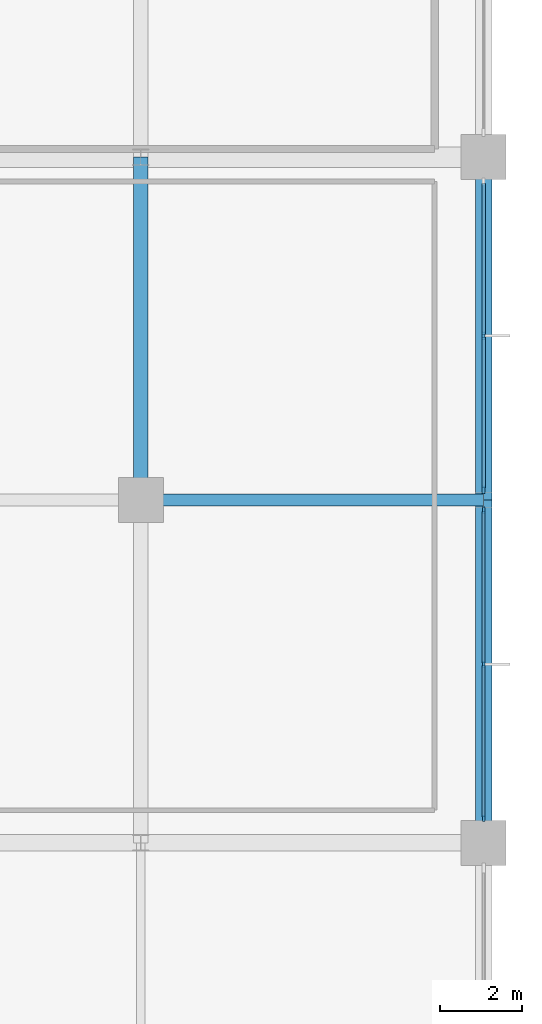
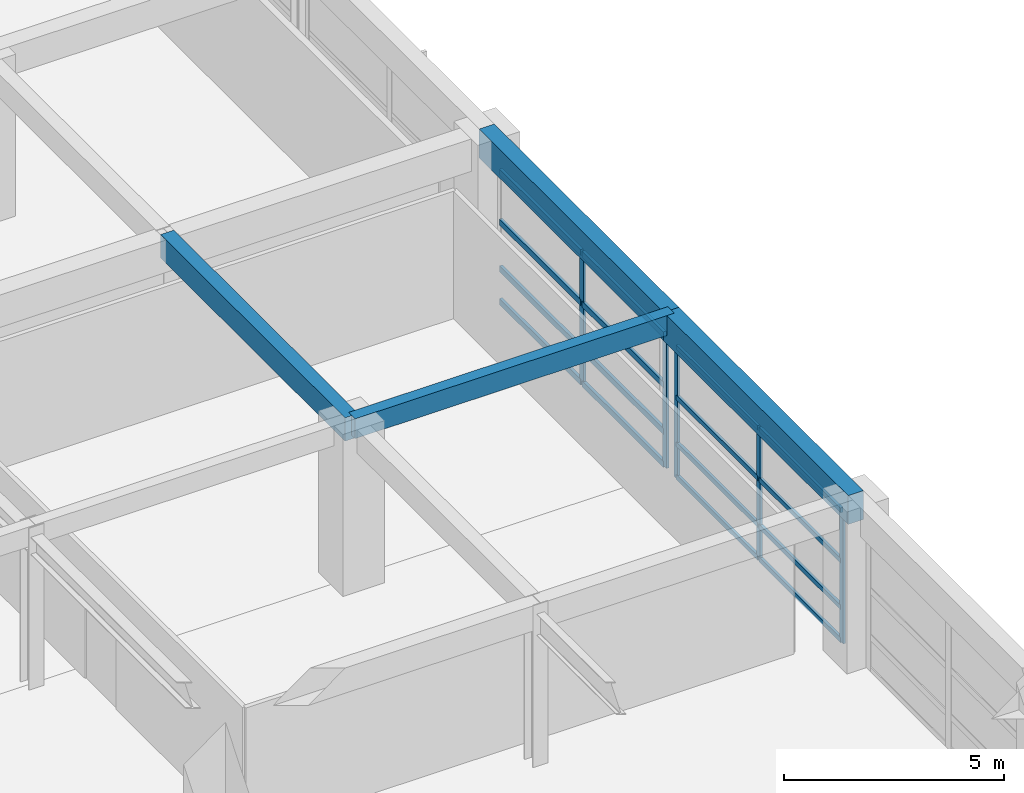
# One storey, part 36 of 62: 21 members, 4 beams, 2 elements without a shape of their own.
"""IFC4 building model written with IfcOpenShell, lengths in metres."""

import ifcopenshell
import ifcopenshell.guid

model = None  # the IFC model being written
_history = None  # IfcOwnerHistory: only IFC2X3 demands one
_inside = {}  # id of a spatial element -> (the spatial element, [elements in it])
_under = {}  # id of a project, library or spatial element -> (it, [spatial elements below it])
_declared = {}  # id of a project -> (the project, [libraries it declares])
_typed = {}  # id of a type object -> (the type object, [elements of that type])
_made_of = {}  # id of a material, layer set ... -> (it, [elements and type objects made of it])


def new_model(schema):
    """Start an empty IFC model of exactly this schema.

    Asked for "IFC4X3", IfcOpenShell would pick the latest addendum, in which some entities
    have other attributes; the version numbers below select the first issue.
    IFC2X3 requires an IfcOwnerHistory on every rooted entity: one is made here for all.
    """
    global model, _history
    if schema == "IFC4X3":
        model = ifcopenshell.file(schema_version=(4, 3, 0, 0))
    else:
        model = ifcopenshell.file(schema=schema)
    _inside.clear()
    _under.clear()
    _declared.clear()
    _typed.clear()
    _made_of.clear()
    _history = None
    if model.schema == "IFC2X3":
        org = make("IfcOrganization", Name="unknown")
        user = make(
            "IfcPersonAndOrganization",
            ThePerson=make("IfcPerson", FamilyName="unknown"),
            TheOrganization=org,
        )
        app = make(
            "IfcApplication",
            ApplicationDeveloper=org,
            Version="unknown",
            ApplicationFullName="unknown",
            ApplicationIdentifier="unknown",
        )
        _history = make(
            "IfcOwnerHistory",
            OwningUser=user,
            OwningApplication=app,
            ChangeAction="ADDED",
            CreationDate=0,
        )
    return model


def make(cls, **values):
    """One entity of the class cls with the attributes given. An attribute that is None is left unset."""
    return model.create_entity(
        cls, **{name: value for name, value in values.items() if value is not None}
    )


def rooted(cls, **values):
    """An entity with a GlobalId (a new one), such as an element, a storey or a relation."""
    return make(cls, GlobalId=ifcopenshell.guid.new(), OwnerHistory=_history, **values)


def si_unit(unit_type, name, prefix=None):
    """IfcSIUnit, for example si_unit("LENGTHUNIT", "METRE", prefix="MILLI")."""
    return make("IfcSIUnit", UnitType=unit_type, Prefix=prefix, Name=name)


def assignment(units):
    """IfcUnitAssignment: the units of a project."""
    return None if units is None else make("IfcUnitAssignment", Units=units)


def point(xyz):
    """IfcCartesianPoint."""
    return None if xyz is None else make("IfcCartesianPoint", Coordinates=xyz)


def direction(xyz):
    """IfcDirection."""
    return None if xyz is None else make("IfcDirection", DirectionRatios=xyz)


def frame(location, z_axis=None, x_axis=None):
    """IfcAxis2Placement3D, a coordinate frame: its origin and axes. An axis left out is left unset."""
    return make(
        "IfcAxis2Placement3D",
        Location=point(location),
        Axis=direction(z_axis),
        RefDirection=direction(x_axis),
    )


def frame_2d(location, x_axis=None):
    """IfcAxis2Placement2D, a coordinate frame in the plane: its origin and x axis."""
    return make(
        "IfcAxis2Placement2D", Location=point(location), RefDirection=direction(x_axis)
    )


def origin():
    """The frame at (0, 0, 0) with its axes left unset."""
    return frame((0.0, 0.0, 0.0))


def origin_2d():
    """The frame at (0, 0) in the plane with its x axis left unset."""
    return frame_2d((0.0, 0.0))


def place(relative_to, where):
    """IfcLocalPlacement: puts the frame where relative to a parent placement (None: the world)."""
    return make(
        "IfcLocalPlacement", PlacementRelTo=relative_to, RelativePlacement=where
    )


def context(
    kind, dimensions, precision=None, world=None, true_north=None, identifier=None
):
    """IfcGeometricRepresentationContext, for example the 3D "Model" context."""
    return make(
        "IfcGeometricRepresentationContext",
        ContextIdentifier=identifier,
        ContextType=kind,
        CoordinateSpaceDimension=dimensions,
        Precision=precision,
        WorldCoordinateSystem=world,
        TrueNorth=true_north,
    )


def subcontext(parent, identifier, kind, view, scale=None):
    """IfcGeometricRepresentationSubContext, for example "Body" below "Model"."""
    return make(
        "IfcGeometricRepresentationSubContext",
        ContextIdentifier=identifier,
        ContextType=kind,
        ParentContext=parent,
        TargetScale=scale,
        TargetView=view,
    )


def project(units=None, contexts=None):
    """IfcProject with its units and contexts."""
    return rooted(
        "IfcProject",
        Name="project",
        RepresentationContexts=contexts,
        UnitsInContext=assignment(units),
    )


def spatial(cls, under=None, at=None, **own):
    """A site, building, storey or space (cls), placed at a placement, below another one or the project."""
    s = rooted(cls, ObjectPlacement=at, **own)
    if under is not None:
        _under.setdefault(under.id(), (under, []))[1].append(s)
    return s


def profile(cls, at=None, kind="AREA", **sizes):
    """A parametric profile (cls). Its sizes go by their IFC names, for example OverallWidth=200.0."""
    return make(cls, ProfileType=kind, Position=at, **sizes)


def rectangle(**sizes):
    """IfcRectangleProfileDef."""
    return profile("IfcRectangleProfileDef", **sizes)


def extrude(swept, where, along, depth):
    """IfcExtrudedAreaSolid: the profile swept, set in the frame where, extruded along a direction by depth."""
    return make(
        "IfcExtrudedAreaSolid",
        SweptArea=swept,
        Position=where,
        ExtrudedDirection=direction(along),
        Depth=depth,
    )


def shape(context_of_items, identifier, shape_type, items):
    """IfcShapeRepresentation: the items that make up one representation, for example the "Body"."""
    return make(
        "IfcShapeRepresentation",
        ContextOfItems=context_of_items,
        RepresentationIdentifier=identifier,
        RepresentationType=shape_type,
        Items=items,
    )


def material(Name=None, Category=None):
    """IfcMaterial."""
    return make("IfcMaterial", Name=Name, Category=Category)


def material_profile(
    of_material, cross_section, Name=None, Category=None, Priority=None
):
    """IfcMaterialProfile: a cross section and its material."""
    return make(
        "IfcMaterialProfile",
        Name=Name,
        Material=of_material,
        Profile=cross_section,
        Priority=Priority,
        Category=Category,
    )


def profile_set(profiles, Name=None, composite=None):
    """IfcMaterialProfileSet."""
    return make(
        "IfcMaterialProfileSet",
        Name=Name,
        MaterialProfiles=profiles,
        CompositeProfile=composite,
    )


def made_of(thing, what):
    """Note that an element or type object is made of a material, layer set ...; save() writes the relation."""
    if what is not None:
        _made_of.setdefault(what.id(), (what, []))[1].append(thing)
    return thing


def type_object(cls, material=None, **own):
    """A type object (cls), such as IfcWallType, which elements share."""
    return made_of(rooted(cls, **own), material)


def element(
    cls,
    number,
    at=None,
    inside=None,
    cuts=None,
    type_object=None,
    material=None,
    context=None,
    identifier="Body",
    shape_type=None,
    held_by="IfcProductDefinitionShape",
    body=None,
    shapes=None,
    **own,
):
    """One element of the class cls, such as IfcWall. Its Tag is "e" and its number.

    at: its placement. inside: the storey or other place that contains it. cuts: it is an
    opening in that element (IfcRelVoidsElement). A single representation is given by context,
    identifier, shape_type and body (its items); several are given by shapes. held_by: the class
    of the entity that holds the representations. save() writes the other relations.
    """
    e = rooted(cls, Tag="e%d" % number, ObjectPlacement=at, **own)
    if body is not None:
        shapes = [shape(context, identifier, shape_type, body)]
    if shapes is not None:
        e.Representation = make(held_by, Representations=shapes)
    if inside is not None:
        _inside.setdefault(inside.id(), (inside, []))[1].append(e)
    if cuts is not None:
        rooted(
            "IfcRelVoidsElement", RelatingBuildingElement=cuts, RelatedOpeningElement=e
        )
    if type_object is not None:
        _typed.setdefault(type_object.id(), (type_object, []))[1].append(e)
    return made_of(e, material)


def aggregate(whole, parts):
    """IfcRelAggregates: a whole, such as a stair, and the parts it consists of."""
    return rooted("IfcRelAggregates", RelatingObject=whole, RelatedObjects=parts)


def save(model, path):
    """Write the relations noted so far, then the file.

    IfcRelAggregates (storeys below a building ...), IfcRelContainedInSpatialStructure (elements
    in a storey), IfcRelDefinesByType, IfcRelAssociatesMaterial and IfcRelDeclares: one each for
    every whole, place, type object, material and project.
    """
    for whole, parts in _under.values():
        aggregate(whole, parts)
    for where, things in _inside.values():
        rooted(
            "IfcRelContainedInSpatialStructure",
            RelatedElements=things,
            RelatingStructure=where,
        )
    for kind, things in _typed.values():
        rooted("IfcRelDefinesByType", RelatedObjects=things, RelatingType=kind)
    for what, things in _made_of.values():
        rooted("IfcRelAssociatesMaterial", RelatedObjects=things, RelatingMaterial=what)
    for by, libraries in _declared.values():
        rooted("IfcRelDeclares", RelatingContext=by, RelatedDefinitions=libraries)
    model.write(path)


model = new_model("IFC4")

# Units and contexts
model_context = context("Model", 3, precision=1e-05, world=origin(), true_north=direction((0.0, 1.0)))
body_context = subcontext(model_context, "Body", "Model", "MODEL_VIEW")
ifc_project = project(units=[si_unit("LENGTHUNIT", "METRE"), si_unit("AREAUNIT", "SQUARE_METRE"), si_unit("VOLUMEUNIT", "CUBIC_METRE"), si_unit("PLANEANGLEUNIT", "RADIAN"), si_unit("MASSUNIT", "GRAM", prefix="KILO")], contexts=[model_context])

# Site, building, storey
site_placement = place(None, origin())
site = spatial("IfcSite", under=ifc_project, at=site_placement, CompositionType="ELEMENT")
building_placement = place(site_placement, origin())
building = spatial("IfcBuilding", under=site, at=building_placement, Name="Xuanlan Plaza Opera House", CompositionType="ELEMENT")
storey_placement = place(building_placement, frame((0.0, 0.0, 14.39990234375)))
storey = spatial("IfcBuildingStorey", under=building, at=storey_placement, Name="L03", CompositionType="ELEMENT", Elevation=14.39990234375)

# Curtain wall, members
ifc_material_1 = material(Name="Anodised Aluminium 6063-T6 and Low-E Glass", Category="aluminium")
curtain_wall_type_1 = type_object("IfcCurtainWallType", Name="ENV-CW-CW-02", PredefinedType="USERDEFINED", material=ifc_material_1)
curtain_wall_1_placement = place(storey_placement, origin())
curtain_wall_1 = element("IfcCurtainWall", 1, at=curtain_wall_1_placement, inside=storey, type_object=curtain_wall_type_1, Name="Unitised Curtain Wall L03-021", ObjectType="UNITISED CURTAIN WALL", PredefinedType="USERDEFINED")
ifc_material_2 = material(Name="Anodised Aluminium 6063-T6", Category="aluminium")
ifc_material_profile_1 = material_profile(ifc_material_2, rectangle(XDim=0.06494140625, YDim=0.159912109375, at=origin_2d()), Name="ALU-M 65x160")
ifc_profile_set_1 = profile_set([ifc_material_profile_1], Name="Anodised Aluminium 6063-T6")
member_type_1 = type_object("IfcMemberType", Name="ENV-CWM-01", PredefinedType="MULLION", material=ifc_profile_set_1)
member_1_placement = place(storey_placement, frame((168.0, 34.202392578125, 0.0), z_axis=(0.0, 0.0, 1.0), x_axis=(-1.0, 0.0, 0.0)))
member_1 = element("IfcMember", 2, at=member_1_placement, type_object=member_type_1, Name="CW-02 mullion 1", PredefinedType="MULLION", context=body_context, shape_type="SweptSolid", body=[
    extrude(rectangle(XDim=0.06494140625, YDim=0.159912109375, at=origin_2d()), origin(), (0.0, 0.0, 1.0), 3.68017578125),
])
member_2_placement = place(storey_placement, frame((168.0, 37.97509765625, 0.0), z_axis=(0.0, 0.0, 1.0), x_axis=(-1.0, 0.0, 0.0)))
member_2 = element("IfcMember", 3, at=member_2_placement, type_object=member_type_1, Name="CW-02 mullion 2", PredefinedType="MULLION", context=body_context, shape_type="SweptSolid", body=[
    extrude(rectangle(XDim=0.06494140625, YDim=0.159912109375, at=origin_2d()), origin(), (0.0, 0.0, 1.0), 3.68017578125),
])
member_3_placement = place(storey_placement, frame((168.0, 41.74755859375, 0.0), z_axis=(0.0, 0.0, 1.0), x_axis=(-1.0, 0.0, 0.0)))
member_3 = element("IfcMember", 4, at=member_3_placement, type_object=member_type_1, Name="CW-02 mullion 3", PredefinedType="MULLION", context=body_context, shape_type="SweptSolid", body=[
    extrude(rectangle(XDim=0.06494140625, YDim=0.159912109375, at=origin_2d()), origin(), (0.0, 0.0, 1.0), 3.68017578125),
])

curtain_wall_type_2 = type_object("IfcCurtainWallType", Name="ENV-CW-CW-03", PredefinedType="USERDEFINED", material=ifc_material_1)
curtain_wall_2_placement = place(storey_placement, origin())
curtain_wall_2 = element("IfcCurtainWall", 5, at=curtain_wall_2_placement, inside=storey, type_object=curtain_wall_type_2, Name="Unitised Curtain Wall L03-022", ObjectType="UNITISED CURTAIN WALL", PredefinedType="USERDEFINED")
ifc_material_profile_2 = material_profile(ifc_material_2, rectangle(XDim=0.070068359375, YDim=0.179931640625, at=origin_2d()), Name="ALU-M 70x180")
ifc_profile_set_2 = profile_set([ifc_material_profile_2], Name="Anodised Aluminium 6063-T6")
member_type_2 = type_object("IfcMemberType", Name="ENV-CWM-02", PredefinedType="MULLION", material=ifc_profile_set_2)
member_4_placement = place(storey_placement, frame((168.0, 42.2548828125, 0.0), z_axis=(0.0, 0.0, 1.0), x_axis=(-1.0, 0.0, 0.0)))
member_4 = element("IfcMember", 6, at=member_4_placement, type_object=member_type_2, Name="CW-03 mullion 1", PredefinedType="MULLION", context=body_context, shape_type="SweptSolid", body=[
    extrude(rectangle(XDim=0.070068359375, YDim=0.179931640625, at=origin_2d()), origin(), (0.0, 0.0, 1.0), 3.68017578125),
])
member_5_placement = place(storey_placement, frame((168.0, 46.02490234375, 0.0), z_axis=(0.0, 0.0, 1.0), x_axis=(-1.0, 0.0, 0.0)))
member_5 = element("IfcMember", 7, at=member_5_placement, type_object=member_type_2, Name="CW-03 mullion 2", PredefinedType="MULLION", context=body_context, shape_type="SweptSolid", body=[
    extrude(rectangle(XDim=0.070068359375, YDim=0.179931640625, at=origin_2d()), origin(), (0.0, 0.0, 1.0), 3.68017578125),
])

# Member
ifc_material_profile_3 = material_profile(ifc_material_2, rectangle(XDim=0.070068359375, YDim=0.135009765625, at=origin_2d()), Name="ALU-T 70x135")
ifc_profile_set_3 = profile_set([ifc_material_profile_3], Name="Anodised Aluminium 6063-T6")
member_type_3 = type_object("IfcMemberType", Name="ENV-CWT-02", PredefinedType="USERDEFINED", material=ifc_profile_set_3)
member_6_placement = place(storey_placement, frame((168.0, 34.235107421875, 0.03515625), z_axis=(0.0, 1.0, 0.0), x_axis=(-1.0, 0.0, 0.0)))
member_6 = element("IfcMember", 8, at=member_6_placement, type_object=member_type_3, Name="CW-02 transom 1.1", ObjectType="TRANSOM", PredefinedType="USERDEFINED", context=body_context, shape_type="SweptSolid", body=[
    extrude(rectangle(XDim=0.070068359375, YDim=0.135009765625, at=origin_2d()), origin(), (0.0, 0.0, 1.0), 3.707275390625),
])

member_7_placement = place(storey_placement, frame((168.0, 34.235107421875, 0.9501953125), z_axis=(0.0, 1.0, 0.0), x_axis=(-1.0, 0.0, 0.0)))
member_7 = element("IfcMember", 9, at=member_7_placement, type_object=member_type_3, Name="CW-02 transom 1.2", ObjectType="TRANSOM", PredefinedType="USERDEFINED", context=body_context, shape_type="SweptSolid", body=[
    extrude(rectangle(XDim=0.070068359375, YDim=0.135009765625, at=origin_2d()), origin(), (0.0, 0.0, 1.0), 3.707275390625),
])

member_8_placement = place(storey_placement, frame((168.0, 34.235107421875, 2.25), z_axis=(0.0, 1.0, 0.0), x_axis=(-1.0, 0.0, 0.0)))
member_8 = element("IfcMember", 10, at=member_8_placement, type_object=member_type_3, Name="CW-02 transom 1.3", ObjectType="TRANSOM", PredefinedType="USERDEFINED", context=body_context, shape_type="SweptSolid", body=[
    extrude(rectangle(XDim=0.070068359375, YDim=0.135009765625, at=origin_2d()), origin(), (0.0, 0.0, 1.0), 3.707275390625),
])

member_9_placement = place(storey_placement, frame((168.0, 34.235107421875, 3.64501953125), z_axis=(0.0, 1.0, 0.0), x_axis=(-1.0, 0.0, 0.0)))
member_9 = element("IfcMember", 11, at=member_9_placement, type_object=member_type_3, Name="CW-02 transom 1.4", ObjectType="TRANSOM", PredefinedType="USERDEFINED", context=body_context, shape_type="SweptSolid", body=[
    extrude(rectangle(XDim=0.070068359375, YDim=0.135009765625, at=origin_2d()), origin(), (0.0, 0.0, 1.0), 3.707275390625),
])

member_10_placement = place(storey_placement, frame((168.0, 38.007568359375, 0.03515625), z_axis=(0.0, 1.0, 0.0), x_axis=(-1.0, 0.0, 0.0)))
member_10 = element("IfcMember", 12, at=member_10_placement, type_object=member_type_3, Name="CW-02 transom 2.1", ObjectType="TRANSOM", PredefinedType="USERDEFINED", context=body_context, shape_type="SweptSolid", body=[
    extrude(rectangle(XDim=0.070068359375, YDim=0.135009765625, at=origin_2d()), origin(), (0.0, 0.0, 1.0), 3.70751953125),
])

member_11_placement = place(storey_placement, frame((168.0, 38.007568359375, 0.9501953125), z_axis=(0.0, 1.0, 0.0), x_axis=(-1.0, 0.0, 0.0)))
member_11 = element("IfcMember", 13, at=member_11_placement, type_object=member_type_3, Name="CW-02 transom 2.2", ObjectType="TRANSOM", PredefinedType="USERDEFINED", context=body_context, shape_type="SweptSolid", body=[
    extrude(rectangle(XDim=0.070068359375, YDim=0.135009765625, at=origin_2d()), origin(), (0.0, 0.0, 1.0), 3.70751953125),
])

member_12_placement = place(storey_placement, frame((168.0, 38.007568359375, 2.25), z_axis=(0.0, 1.0, 0.0), x_axis=(-1.0, 0.0, 0.0)))
member_12 = element("IfcMember", 14, at=member_12_placement, type_object=member_type_3, Name="CW-02 transom 2.3", ObjectType="TRANSOM", PredefinedType="USERDEFINED", context=body_context, shape_type="SweptSolid", body=[
    extrude(rectangle(XDim=0.070068359375, YDim=0.135009765625, at=origin_2d()), origin(), (0.0, 0.0, 1.0), 3.70751953125),
])

member_13_placement = place(storey_placement, frame((168.0, 38.007568359375, 3.64501953125), z_axis=(0.0, 1.0, 0.0), x_axis=(-1.0, 0.0, 0.0)))
member_13 = element("IfcMember", 15, at=member_13_placement, type_object=member_type_3, Name="CW-02 transom 2.4", ObjectType="TRANSOM", PredefinedType="USERDEFINED", context=body_context, shape_type="SweptSolid", body=[
    extrude(rectangle(XDim=0.070068359375, YDim=0.135009765625, at=origin_2d()), origin(), (0.0, 0.0, 1.0), 3.70751953125),
])

aggregate(curtain_wall_1, [member_1, member_2, member_3, member_6, member_7, member_8, member_9, member_10, member_11, member_12, member_13])

ifc_material_profile_4 = material_profile(ifc_material_2, rectangle(XDim=0.080078125, YDim=0.1650390625, at=origin_2d()), Name="ALU-T 80x165")
ifc_profile_set_4 = profile_set([ifc_material_profile_4], Name="Anodised Aluminium 6063-T6")
member_type_4 = type_object("IfcMemberType", Name="ENV-CWT-04", PredefinedType="USERDEFINED", material=ifc_profile_set_4)
member_14_placement = place(storey_placement, frame((168.0, 42.2900390625, 0.0400390625), z_axis=(0.0, 1.0, 0.0), x_axis=(-1.0, 0.0, 0.0)))
member_14 = element("IfcMember", 16, at=member_14_placement, type_object=member_type_4, Name="CW-03 transom 1.1", ObjectType="TRANSOM", PredefinedType="USERDEFINED", context=body_context, shape_type="SweptSolid", body=[
    extrude(rectangle(XDim=0.080078125, YDim=0.1650390625, at=origin_2d()), origin(), (0.0, 0.0, 1.0), 3.699951171875),
])

member_15_placement = place(storey_placement, frame((168.0, 42.2900390625, 0.9501953125), z_axis=(0.0, 1.0, 0.0), x_axis=(-1.0, 0.0, 0.0)))
member_15 = element("IfcMember", 17, at=member_15_placement, type_object=member_type_4, Name="CW-03 transom 1.2", ObjectType="TRANSOM", PredefinedType="USERDEFINED", context=body_context, shape_type="SweptSolid", body=[
    extrude(rectangle(XDim=0.080078125, YDim=0.1650390625, at=origin_2d()), origin(), (0.0, 0.0, 1.0), 3.699951171875),
])

member_16_placement = place(storey_placement, frame((168.0, 42.2900390625, 2.25), z_axis=(0.0, 1.0, 0.0), x_axis=(-1.0, 0.0, 0.0)))
member_16 = element("IfcMember", 18, at=member_16_placement, type_object=member_type_4, Name="CW-03 transom 1.3", ObjectType="TRANSOM", PredefinedType="USERDEFINED", context=body_context, shape_type="SweptSolid", body=[
    extrude(rectangle(XDim=0.080078125, YDim=0.1650390625, at=origin_2d()), origin(), (0.0, 0.0, 1.0), 3.699951171875),
])

member_17_placement = place(storey_placement, frame((168.0, 42.2900390625, 3.64013671875), z_axis=(0.0, 1.0, 0.0), x_axis=(-1.0, 0.0, 0.0)))
member_17 = element("IfcMember", 19, at=member_17_placement, type_object=member_type_4, Name="CW-03 transom 1.4", ObjectType="TRANSOM", PredefinedType="USERDEFINED", context=body_context, shape_type="SweptSolid", body=[
    extrude(rectangle(XDim=0.080078125, YDim=0.1650390625, at=origin_2d()), origin(), (0.0, 0.0, 1.0), 3.699951171875),
])

member_18_placement = place(storey_placement, frame((168.0, 46.06005859375, 0.0400390625), z_axis=(0.0, 1.0, 0.0), x_axis=(-1.0, 0.0, 0.0)))
member_18 = element("IfcMember", 20, at=member_18_placement, type_object=member_type_4, Name="CW-03 transom 2.1", ObjectType="TRANSOM", PredefinedType="USERDEFINED", context=body_context, shape_type="SweptSolid", body=[
    extrude(rectangle(XDim=0.080078125, YDim=0.1650390625, at=origin_2d()), origin(), (0.0, 0.0, 1.0), 3.699951171875),
])

member_19_placement = place(storey_placement, frame((168.0, 46.06005859375, 0.9501953125), z_axis=(0.0, 1.0, 0.0), x_axis=(-1.0, 0.0, 0.0)))
member_19 = element("IfcMember", 21, at=member_19_placement, type_object=member_type_4, Name="CW-03 transom 2.2", ObjectType="TRANSOM", PredefinedType="USERDEFINED", context=body_context, shape_type="SweptSolid", body=[
    extrude(rectangle(XDim=0.080078125, YDim=0.1650390625, at=origin_2d()), origin(), (0.0, 0.0, 1.0), 3.699951171875),
])

member_20_placement = place(storey_placement, frame((168.0, 46.06005859375, 2.25), z_axis=(0.0, 1.0, 0.0), x_axis=(-1.0, 0.0, 0.0)))
member_20 = element("IfcMember", 22, at=member_20_placement, type_object=member_type_4, Name="CW-03 transom 2.3", ObjectType="TRANSOM", PredefinedType="USERDEFINED", context=body_context, shape_type="SweptSolid", body=[
    extrude(rectangle(XDim=0.080078125, YDim=0.1650390625, at=origin_2d()), origin(), (0.0, 0.0, 1.0), 3.699951171875),
])

member_21_placement = place(storey_placement, frame((168.0, 46.06005859375, 3.64013671875), z_axis=(0.0, 1.0, 0.0), x_axis=(-1.0, 0.0, 0.0)))
member_21 = element("IfcMember", 23, at=member_21_placement, type_object=member_type_4, Name="CW-03 transom 2.4", ObjectType="TRANSOM", PredefinedType="USERDEFINED", context=body_context, shape_type="SweptSolid", body=[
    extrude(rectangle(XDim=0.080078125, YDim=0.1650390625, at=origin_2d()), origin(), (0.0, 0.0, 1.0), 3.699951171875),
])

aggregate(curtain_wall_2, [member_4, member_5, member_14, member_15, member_16, member_17, member_18, member_19, member_20, member_21])

# Beams
ifc_material_3 = material(Name="Concrete C40", Category="concrete")
ifc_material_profile_5 = material_profile(ifc_material_3, rectangle(XDim=0.35009765625, YDim=0.64990234375, at=origin_2d()), Name="RC-BM 350x650")
ifc_profile_set_5 = profile_set([ifc_material_profile_5], Name="Concrete C40")
beam_type_1 = type_object("IfcBeamType", Name="STR-BM-B-08", PredefinedType="BEAM", material=ifc_profile_set_5)
beam_1_placement = place(storey_placement, frame((159.60009765625, 42.0, 4.175048828125), z_axis=(0.0, 1.0, 0.0), x_axis=(-1.0, 0.0, 0.0)))
element("IfcBeam", 24, at=beam_1_placement, inside=storey, type_object=beam_type_1, Name="Grid Beam Y L03 20/F-G", PredefinedType="BEAM", context=body_context, shape_type="SweptSolid", body=[
    extrude(rectangle(XDim=0.35009765625, YDim=0.64990234375, at=origin_2d()), origin(), (0.0, 0.0, 1.0), 8.39990234375),
])
ifc_material_profile_6 = material_profile(ifc_material_3, rectangle(XDim=0.300048828125, YDim=0.550048828125, at=origin_2d()), Name="RC-BM 300x550")
ifc_profile_set_6 = profile_set([ifc_material_profile_6], Name="Concrete C40")
beam_type_2 = type_object("IfcBeamType", Name="STR-BM-B-09", PredefinedType="BEAM", material=ifc_profile_set_6)
beam_2_placement = place(storey_placement, frame((159.60009765625, 42.0, 4.22509765625), z_axis=(1.0, 0.0, 0.0), x_axis=(0.0, 1.0, 0.0)))
element("IfcBeam", 25, at=beam_2_placement, inside=storey, type_object=beam_type_2, Name="Grid Beam X L03 20-21/F", PredefinedType="BEAM", context=body_context, shape_type="SweptSolid", body=[
    extrude(rectangle(XDim=0.300048828125, YDim=0.550048828125, at=origin_2d()), origin(), (0.0, 0.0, 1.0), 8.39990234375),
])
ifc_material_profile_7 = material_profile(ifc_material_3, rectangle(XDim=0.39990234375, YDim=0.800048828125, at=origin_2d()), Name="RC-SPD 400x800")
ifc_profile_set_7 = profile_set([ifc_material_profile_7], Name="Concrete C40")
beam_type_3 = type_object("IfcBeamType", Name="STR-BM-SP-01", PredefinedType="SPANDREL", material=ifc_profile_set_7)
for number, where, z_axis, x_axis, name in (
    (26, (168.0, 33.60009765625, 4.10009765625), (0.0, 1.0, 0.0), (-1.0, 0.0, 0.0), "Grid Beam Y L03 21/E-F"),
    (27, (168.0, 42.0, 4.10009765625), (0.0, 1.0, 0.0), (-1.0, 0.0, 0.0), "Grid Beam Y L03 21/F-G"),
):
    element("IfcBeam", number, at=place(storey_placement, frame(where, z_axis=z_axis, x_axis=x_axis)), inside=storey, type_object=beam_type_3, Name=name, PredefinedType="SPANDREL", context=body_context, shape_type="SweptSolid", body=[
        extrude(rectangle(XDim=0.39990234375, YDim=0.800048828125, at=origin_2d()), origin(), (0.0, 0.0, 1.0), 8.39990234375),
    ])

save(model, "model.ifc")
